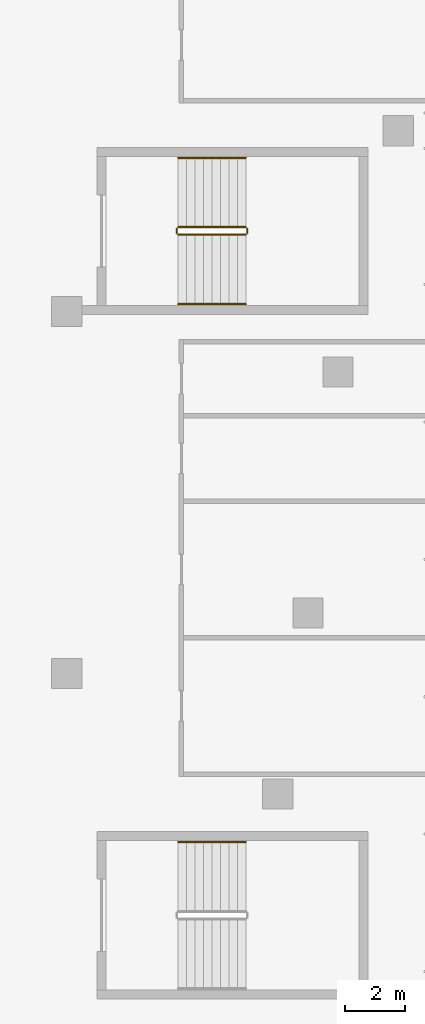
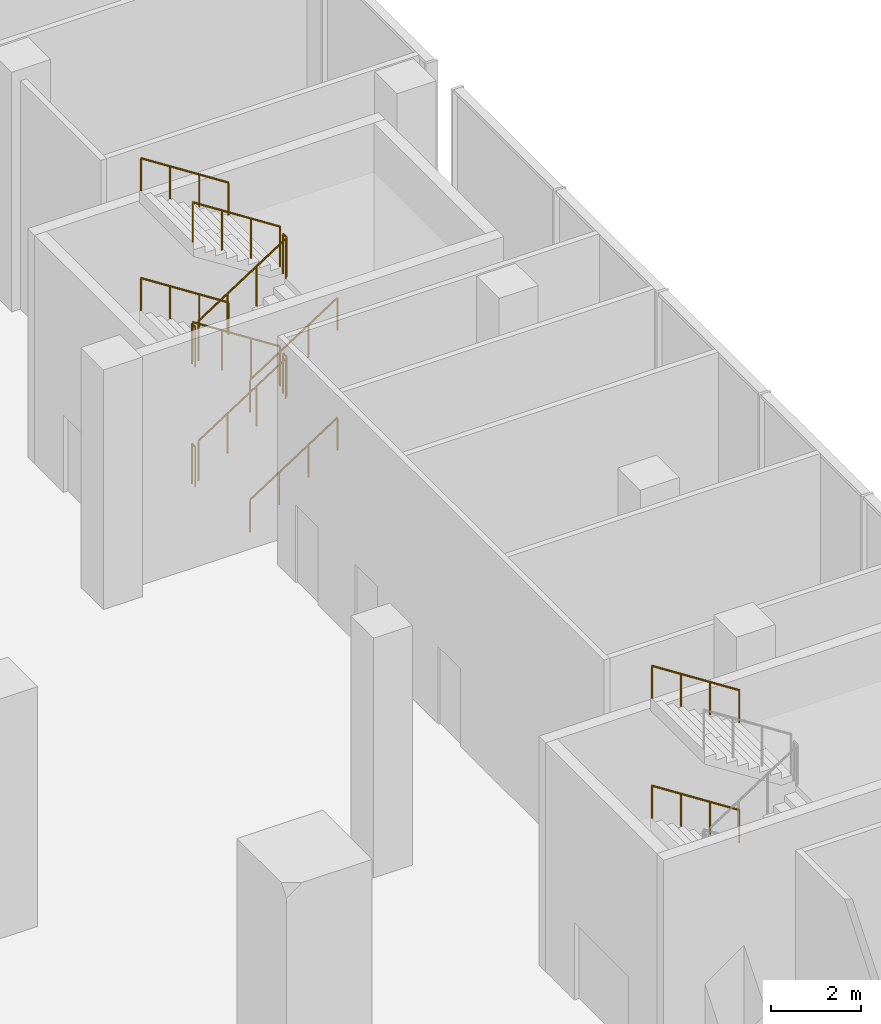
# One storey, part 28 of 30: 14 railings.
"""IFC4 building model written with IfcOpenShell, lengths in metres."""

import ifcopenshell
import ifcopenshell.guid

model = None  # the IFC model being written
_history = None  # IfcOwnerHistory: only IFC2X3 demands one
_inside = {}  # id of a spatial element -> (the spatial element, [elements in it])
_under = {}  # id of a project, library or spatial element -> (it, [spatial elements below it])
_declared = {}  # id of a project -> (the project, [libraries it declares])
_typed = {}  # id of a type object -> (the type object, [elements of that type])
_made_of = {}  # id of a material, layer set ... -> (it, [elements and type objects made of it])


def new_model(schema):
    """Start an empty IFC model of exactly this schema.

    Asked for "IFC4X3", IfcOpenShell would pick the latest addendum, in which some entities
    have other attributes; the version numbers below select the first issue.
    IFC2X3 requires an IfcOwnerHistory on every rooted entity: one is made here for all.
    """
    global model, _history
    if schema == "IFC4X3":
        model = ifcopenshell.file(schema_version=(4, 3, 0, 0))
    else:
        model = ifcopenshell.file(schema=schema)
    _inside.clear()
    _under.clear()
    _declared.clear()
    _typed.clear()
    _made_of.clear()
    _history = None
    if model.schema == "IFC2X3":
        org = make("IfcOrganization", Name="unknown")
        user = make(
            "IfcPersonAndOrganization",
            ThePerson=make("IfcPerson", FamilyName="unknown"),
            TheOrganization=org,
        )
        app = make(
            "IfcApplication",
            ApplicationDeveloper=org,
            Version="unknown",
            ApplicationFullName="unknown",
            ApplicationIdentifier="unknown",
        )
        _history = make(
            "IfcOwnerHistory",
            OwningUser=user,
            OwningApplication=app,
            ChangeAction="ADDED",
            CreationDate=0,
        )
    return model


def make(cls, **values):
    """One entity of the class cls with the attributes given. An attribute that is None is left unset."""
    return model.create_entity(
        cls, **{name: value for name, value in values.items() if value is not None}
    )


def rooted(cls, **values):
    """An entity with a GlobalId (a new one), such as an element, a storey or a relation."""
    return make(cls, GlobalId=ifcopenshell.guid.new(), OwnerHistory=_history, **values)


def si_unit(unit_type, name, prefix=None):
    """IfcSIUnit, for example si_unit("LENGTHUNIT", "METRE", prefix="MILLI")."""
    return make("IfcSIUnit", UnitType=unit_type, Prefix=prefix, Name=name)


def assignment(units):
    """IfcUnitAssignment: the units of a project."""
    return None if units is None else make("IfcUnitAssignment", Units=units)


def point(xyz):
    """IfcCartesianPoint."""
    return None if xyz is None else make("IfcCartesianPoint", Coordinates=xyz)


def direction(xyz):
    """IfcDirection."""
    return None if xyz is None else make("IfcDirection", DirectionRatios=xyz)


def frame(location, z_axis=None, x_axis=None):
    """IfcAxis2Placement3D, a coordinate frame: its origin and axes. An axis left out is left unset."""
    return make(
        "IfcAxis2Placement3D",
        Location=point(location),
        Axis=direction(z_axis),
        RefDirection=direction(x_axis),
    )


def frame_2d(location, x_axis=None):
    """IfcAxis2Placement2D, a coordinate frame in the plane: its origin and x axis."""
    return make(
        "IfcAxis2Placement2D", Location=point(location), RefDirection=direction(x_axis)
    )


def origin():
    """The frame at (0, 0, 0) with its axes left unset."""
    return frame((0.0, 0.0, 0.0))


def origin_2d():
    """The frame at (0, 0) in the plane with its x axis left unset."""
    return frame_2d((0.0, 0.0))


def place(relative_to, where):
    """IfcLocalPlacement: puts the frame where relative to a parent placement (None: the world)."""
    return make(
        "IfcLocalPlacement", PlacementRelTo=relative_to, RelativePlacement=where
    )


def context(
    kind, dimensions, precision=None, world=None, true_north=None, identifier=None
):
    """IfcGeometricRepresentationContext, for example the 3D "Model" context."""
    return make(
        "IfcGeometricRepresentationContext",
        ContextIdentifier=identifier,
        ContextType=kind,
        CoordinateSpaceDimension=dimensions,
        Precision=precision,
        WorldCoordinateSystem=world,
        TrueNorth=true_north,
    )


def subcontext(parent, identifier, kind, view, scale=None):
    """IfcGeometricRepresentationSubContext, for example "Body" below "Model"."""
    return make(
        "IfcGeometricRepresentationSubContext",
        ContextIdentifier=identifier,
        ContextType=kind,
        ParentContext=parent,
        TargetScale=scale,
        TargetView=view,
    )


def project(units=None, contexts=None):
    """IfcProject with its units and contexts."""
    return rooted(
        "IfcProject",
        Name="project",
        RepresentationContexts=contexts,
        UnitsInContext=assignment(units),
    )


def spatial(cls, under=None, at=None, **own):
    """A site, building, storey or space (cls), placed at a placement, below another one or the project."""
    s = rooted(cls, ObjectPlacement=at, **own)
    if under is not None:
        _under.setdefault(under.id(), (under, []))[1].append(s)
    return s


def profile(cls, at=None, kind="AREA", **sizes):
    """A parametric profile (cls). Its sizes go by their IFC names, for example OverallWidth=200.0."""
    return make(cls, ProfileType=kind, Position=at, **sizes)


def circle(**sizes):
    """IfcCircleProfileDef."""
    return profile("IfcCircleProfileDef", **sizes)


def extrude(swept, where, along, depth):
    """IfcExtrudedAreaSolid: the profile swept, set in the frame where, extruded along a direction by depth."""
    return make(
        "IfcExtrudedAreaSolid",
        SweptArea=swept,
        Position=where,
        ExtrudedDirection=direction(along),
        Depth=depth,
    )


def shape(context_of_items, identifier, shape_type, items):
    """IfcShapeRepresentation: the items that make up one representation, for example the "Body"."""
    return make(
        "IfcShapeRepresentation",
        ContextOfItems=context_of_items,
        RepresentationIdentifier=identifier,
        RepresentationType=shape_type,
        Items=items,
    )


def material(Name=None, Category=None):
    """IfcMaterial."""
    return make("IfcMaterial", Name=Name, Category=Category)


def made_of(thing, what):
    """Note that an element or type object is made of a material, layer set ...; save() writes the relation."""
    if what is not None:
        _made_of.setdefault(what.id(), (what, []))[1].append(thing)
    return thing


def type_object(cls, material=None, **own):
    """A type object (cls), such as IfcWallType, which elements share."""
    return made_of(rooted(cls, **own), material)


def element(
    cls,
    number,
    at=None,
    inside=None,
    cuts=None,
    type_object=None,
    material=None,
    context=None,
    identifier="Body",
    shape_type=None,
    held_by="IfcProductDefinitionShape",
    body=None,
    shapes=None,
    **own,
):
    """One element of the class cls, such as IfcWall. Its Tag is "e" and its number.

    at: its placement. inside: the storey or other place that contains it. cuts: it is an
    opening in that element (IfcRelVoidsElement). A single representation is given by context,
    identifier, shape_type and body (its items); several are given by shapes. held_by: the class
    of the entity that holds the representations. save() writes the other relations.
    """
    e = rooted(cls, Tag="e%d" % number, ObjectPlacement=at, **own)
    if body is not None:
        shapes = [shape(context, identifier, shape_type, body)]
    if shapes is not None:
        e.Representation = make(held_by, Representations=shapes)
    if inside is not None:
        _inside.setdefault(inside.id(), (inside, []))[1].append(e)
    if cuts is not None:
        rooted(
            "IfcRelVoidsElement", RelatingBuildingElement=cuts, RelatedOpeningElement=e
        )
    if type_object is not None:
        _typed.setdefault(type_object.id(), (type_object, []))[1].append(e)
    return made_of(e, material)


def aggregate(whole, parts):
    """IfcRelAggregates: a whole, such as a stair, and the parts it consists of."""
    return rooted("IfcRelAggregates", RelatingObject=whole, RelatedObjects=parts)


def save(model, path):
    """Write the relations noted so far, then the file.

    IfcRelAggregates (storeys below a building ...), IfcRelContainedInSpatialStructure (elements
    in a storey), IfcRelDefinesByType, IfcRelAssociatesMaterial and IfcRelDeclares: one each for
    every whole, place, type object, material and project.
    """
    for whole, parts in _under.values():
        aggregate(whole, parts)
    for where, things in _inside.values():
        rooted(
            "IfcRelContainedInSpatialStructure",
            RelatedElements=things,
            RelatingStructure=where,
        )
    for kind, things in _typed.values():
        rooted("IfcRelDefinesByType", RelatedObjects=things, RelatingType=kind)
    for what, things in _made_of.values():
        rooted("IfcRelAssociatesMaterial", RelatedObjects=things, RelatingMaterial=what)
    for by, libraries in _declared.values():
        rooted("IfcRelDeclares", RelatingContext=by, RelatedDefinitions=libraries)
    model.write(path)


model = new_model("IFC4")

# Units and contexts
model_context = context("Model", 3, precision=1e-05, world=origin(), true_north=direction((0.0, 1.0)))
body_context = subcontext(model_context, "Body", "Model", "MODEL_VIEW")
ifc_project = project(units=[si_unit("LENGTHUNIT", "METRE"), si_unit("AREAUNIT", "SQUARE_METRE"), si_unit("VOLUMEUNIT", "CUBIC_METRE"), si_unit("PLANEANGLEUNIT", "RADIAN"), si_unit("MASSUNIT", "GRAM", prefix="KILO")], contexts=[model_context])

# Site, building, storey
site_placement = place(None, origin())
site = spatial("IfcSite", under=ifc_project, at=site_placement, CompositionType="ELEMENT")
building_placement = place(site_placement, origin())
building = spatial("IfcBuilding", under=site, at=building_placement, Name="Wharfspan Tower", CompositionType="ELEMENT")
storey_placement = place(building_placement, frame((0.0, 0.0, 15.0)))
storey = spatial("IfcBuildingStorey", under=building, at=storey_placement, Name="L02", CompositionType="ELEMENT", Elevation=15.0)

# Railings
ifc_material = material(Name="Steel S355J2", Category="steel")
railing_type_1 = type_object("IfcRailingType", Name="Podium guard 1100", PredefinedType="GUARDRAIL", material=ifc_material)
railing_1_placement = place(storey_placement, frame((99.699951, 22.550049, 0.180664)))
element("IfcRailing", 1, at=railing_1_placement, inside=storey, type_object=railing_type_1, Name="L02 AS4 stair guard 1", PredefinedType="GUARDRAIL", context=body_context, shape_type="SweptSolid", body=[
    extrude(circle(Radius=0.023926, at=origin_2d()), frame((0.0, 0.0, 1.076172), z_axis=(0.840437, 0.0, 0.54191), x_axis=(0.0, 1.0, 0.0)), (0.0, 0.0, 1.0), 2.665283),
    extrude(circle(Radius=0.020996, at=origin_2d()), origin(), (0.0, 0.0, 1.0), 1.052002),
    extrude(circle(Radius=0.020996, at=origin_2d()), frame((0.746582, 0.0, 0.481445)), (0.0, 0.0, 1.0), 1.052002),
    extrude(circle(Radius=0.020996, at=origin_2d()), frame((1.493408, 0.0, 0.962891)), (0.0, 0.0, 1.0), 1.052002),
    extrude(circle(Radius=0.020996, at=origin_2d()), frame((2.23999, 0.0, 1.444336)), (0.0, 0.0, 1.0), 1.052002),
])
railing_2_placement = place(storey_placement, frame((101.98999, 22.600098, 1.625)))
element("IfcRailing", 2, at=railing_2_placement, inside=storey, type_object=railing_type_1, Name="L02 AS4 stair guard 2", PredefinedType="GUARDRAIL", context=body_context, shape_type="SweptSolid", body=[
    extrude(circle(Radius=0.023926, at=origin_2d()), frame((0.0, 0.0, 1.076172), z_axis=(0.0, 1.0, 0.0), x_axis=(-1.0, 0.0, 0.0)), (0.0, 0.0, 1.0), 0.149902),
    extrude(circle(Radius=0.020996, at=origin_2d()), origin(), (0.0, 0.0, 1.0), 1.052002),
    extrude(circle(Radius=0.020996, at=origin_2d()), frame((0.0, 0.149902, 0.0)), (0.0, 0.0, 1.0), 1.052002),
])
railing_3_placement = place(storey_placement, frame((101.939941, 22.800049, 1.805664)))
element("IfcRailing", 3, at=railing_3_placement, inside=storey, type_object=railing_type_1, Name="L02 AS4 stair guard 3", PredefinedType="GUARDRAIL", context=body_context, shape_type="SweptSolid", body=[
    extrude(circle(Radius=0.023926, at=origin_2d()), frame((0.0, 0.0, 1.076172), z_axis=(-0.840437, 0.0, 0.54191), x_axis=(0.0, -1.0, 0.0)), (0.0, 0.0, 1.0), 2.665283),
    extrude(circle(Radius=0.020996, at=origin_2d()), origin(), (0.0, 0.0, 1.0), 1.052002),
    extrude(circle(Radius=0.020996, at=origin_2d()), frame((-0.746582, 0.0, 0.481445)), (0.0, 0.0, 1.0), 1.052002),
    extrude(circle(Radius=0.020996, at=origin_2d()), frame((-1.493408, 0.0, 0.962891)), (0.0, 0.0, 1.0), 1.052002),
    extrude(circle(Radius=0.020996, at=origin_2d()), frame((-2.23999, 0.0, 1.444336)), (0.0, 0.0, 1.0), 1.052002),
])
railing_4_placement = place(storey_placement, frame((99.649902, 22.600098, 3.25)))
element("IfcRailing", 4, at=railing_4_placement, inside=storey, type_object=railing_type_1, Name="L02 AS4 stair guard 4", PredefinedType="GUARDRAIL", context=body_context, shape_type="SweptSolid", body=[
    extrude(circle(Radius=0.023926, at=origin_2d()), frame((0.0, 0.0, 1.076172), z_axis=(0.0, 1.0, 0.0), x_axis=(-1.0, 0.0, 0.0)), (0.0, 0.0, 1.0), 0.149902),
    extrude(circle(Radius=0.020996, at=origin_2d()), origin(), (0.0, 0.0, 1.0), 1.052002),
    extrude(circle(Radius=0.020996, at=origin_2d()), frame((0.0, 0.149902, 0.0)), (0.0, 0.0, 1.0), 1.052002),
])
railing_5_placement = place(storey_placement, frame((99.699951, 22.550049, 3.430664)))
element("IfcRailing", 5, at=railing_5_placement, inside=storey, type_object=railing_type_1, Name="L02 AS4 stair guard 5", PredefinedType="GUARDRAIL", context=body_context, shape_type="SweptSolid", body=[
    extrude(circle(Radius=0.023926, at=origin_2d()), frame((0.0, 0.0, 1.076172), z_axis=(0.840437, 0.0, 0.54191), x_axis=(0.0, 1.0, 0.0)), (0.0, 0.0, 1.0), 2.665283),
    extrude(circle(Radius=0.020996, at=origin_2d()), origin(), (0.0, 0.0, 1.0), 1.052002),
    extrude(circle(Radius=0.020996, at=origin_2d()), frame((0.746582, 0.0, 0.481445)), (0.0, 0.0, 1.0), 1.052002),
    extrude(circle(Radius=0.020996, at=origin_2d()), frame((1.493408, 0.0, 0.962891)), (0.0, 0.0, 1.0), 1.052002),
    extrude(circle(Radius=0.020996, at=origin_2d()), frame((2.23999, 0.0, 1.444336)), (0.0, 0.0, 1.0), 1.052002),
])
railing_6_placement = place(storey_placement, frame((101.98999, 22.600098, 4.875)))
element("IfcRailing", 6, at=railing_6_placement, inside=storey, type_object=railing_type_1, Name="L02 AS4 stair guard 6", PredefinedType="GUARDRAIL", context=body_context, shape_type="SweptSolid", body=[
    extrude(circle(Radius=0.023926, at=origin_2d()), frame((0.0, 0.0, 1.076172), z_axis=(0.0, 1.0, 0.0), x_axis=(-1.0, 0.0, 0.0)), (0.0, 0.0, 1.0), 0.149902),
    extrude(circle(Radius=0.020996, at=origin_2d()), origin(), (0.0, 0.0, 1.0), 1.052002),
    extrude(circle(Radius=0.020996, at=origin_2d()), frame((0.0, 0.149902, 0.0)), (0.0, 0.0, 1.0), 1.052002),
])
railing_7_placement = place(storey_placement, frame((101.939941, 22.800049, 5.055664)))
element("IfcRailing", 7, at=railing_7_placement, inside=storey, type_object=railing_type_1, Name="L02 AS4 stair guard 7", PredefinedType="GUARDRAIL", context=body_context, shape_type="SweptSolid", body=[
    extrude(circle(Radius=0.023926, at=origin_2d()), frame((0.0, 0.0, 1.076172), z_axis=(-0.840437, 0.0, 0.54191), x_axis=(0.0, -1.0, 0.0)), (0.0, 0.0, 1.0), 2.665283),
    extrude(circle(Radius=0.020996, at=origin_2d()), origin(), (0.0, 0.0, 1.0), 1.052002),
    extrude(circle(Radius=0.020996, at=origin_2d()), frame((-0.746582, 0.0, 0.481445)), (0.0, 0.0, 1.0), 1.052002),
    extrude(circle(Radius=0.020996, at=origin_2d()), frame((-1.493408, 0.0, 0.962891)), (0.0, 0.0, 1.0), 1.052002),
    extrude(circle(Radius=0.020996, at=origin_2d()), frame((-2.23999, 0.0, 1.444336)), (0.0, 0.0, 1.0), 1.052002),
])
railing_8_placement = place(storey_placement, frame((99.649902, 22.600098, 0.0)))
element("IfcRailing", 8, at=railing_8_placement, inside=storey, type_object=railing_type_1, Name="L02 AS4 stair guard 8", PredefinedType="GUARDRAIL", context=body_context, shape_type="SweptSolid", body=[
    extrude(circle(Radius=0.023926, at=origin_2d()), frame((0.0, 0.0, 1.076172), z_axis=(0.0, 1.0, 0.0), x_axis=(-1.0, 0.0, 0.0)), (0.0, 0.0, 1.0), 0.149902),
    extrude(circle(Radius=0.020996, at=origin_2d()), origin(), (0.0, 0.0, 1.0), 1.052002),
    extrude(circle(Radius=0.020996, at=origin_2d()), frame((0.0, 0.149902, 0.0)), (0.0, 0.0, 1.0), 1.052002),
])
railing_type_2 = type_object("IfcRailingType", Name="Podium stair handrail 900", PredefinedType="HANDRAIL", material=ifc_material)
for number, where, name in (
    (9, (101.939941, 2.399902, 1.805664), "L02 AS8 stair handrail 2"),
    (10, (101.939941, 2.399902, 5.055664), "L02 AS8 stair handrail 4"),
):
    element("IfcRailing", number, at=place(storey_placement, frame(where)), inside=storey, type_object=railing_type_2, Name=name, PredefinedType="HANDRAIL", context=body_context, shape_type="SweptSolid", body=[
        extrude(circle(Radius=0.023926, at=origin_2d()), frame((0.0, 0.0, 0.875977), z_axis=(-0.840437, 0.0, 0.54191), x_axis=(0.0, -1.0, 0.0)), (0.0, 0.0, 1.0), 2.665283),
        extrude(circle(Radius=0.020996, at=origin_2d()), origin(), (0.0, 0.0, 1.0), 0.851807),
        extrude(circle(Radius=0.020996, at=origin_2d()), frame((-0.746582, 0.0, 0.481445)), (0.0, 0.0, 1.0), 0.851807),
        extrude(circle(Radius=0.020996, at=origin_2d()), frame((-1.493408, 0.0, 0.962891)), (0.0, 0.0, 1.0), 0.851807),
        extrude(circle(Radius=0.020996, at=origin_2d()), frame((-2.23999, 0.0, 1.444336)), (0.0, 0.0, 1.0), 0.851807),
    ])
railing_9_placement = place(storey_placement, frame((99.699951, 20.25, 0.180664)))
element("IfcRailing", 11, at=railing_9_placement, inside=storey, type_object=railing_type_2, Name="L02 AS4 stair handrail 1", PredefinedType="HANDRAIL", context=body_context, shape_type="SweptSolid", body=[
    extrude(circle(Radius=0.023926, at=origin_2d()), frame((0.0, 0.0, 0.875977), z_axis=(0.840437, 0.0, 0.54191), x_axis=(0.0, 1.0, 0.0)), (0.0, 0.0, 1.0), 2.665283),
    extrude(circle(Radius=0.020996, at=origin_2d()), origin(), (0.0, 0.0, 1.0), 0.851807),
    extrude(circle(Radius=0.020996, at=origin_2d()), frame((0.746582, 0.0, 0.481445)), (0.0, 0.0, 1.0), 0.851807),
    extrude(circle(Radius=0.020996, at=origin_2d()), frame((1.493408, 0.0, 0.962891)), (0.0, 0.0, 1.0), 0.851807),
    extrude(circle(Radius=0.020996, at=origin_2d()), frame((2.23999, 0.0, 1.444336)), (0.0, 0.0, 1.0), 0.851807),
])
railing_10_placement = place(storey_placement, frame((101.939941, 25.100098, 1.805664)))
element("IfcRailing", 12, at=railing_10_placement, inside=storey, type_object=railing_type_2, Name="L02 AS4 stair handrail 2", PredefinedType="HANDRAIL", context=body_context, shape_type="SweptSolid", body=[
    extrude(circle(Radius=0.023926, at=origin_2d()), frame((0.0, 0.0, 0.875977), z_axis=(-0.840437, 0.0, 0.54191), x_axis=(0.0, -1.0, 0.0)), (0.0, 0.0, 1.0), 2.665283),
    extrude(circle(Radius=0.020996, at=origin_2d()), origin(), (0.0, 0.0, 1.0), 0.851807),
    extrude(circle(Radius=0.020996, at=origin_2d()), frame((-0.746582, 0.0, 0.481445)), (0.0, 0.0, 1.0), 0.851807),
    extrude(circle(Radius=0.020996, at=origin_2d()), frame((-1.493408, 0.0, 0.962891)), (0.0, 0.0, 1.0), 0.851807),
    extrude(circle(Radius=0.020996, at=origin_2d()), frame((-2.23999, 0.0, 1.444336)), (0.0, 0.0, 1.0), 0.851807),
])
railing_11_placement = place(storey_placement, frame((99.699951, 20.25, 3.430664)))
element("IfcRailing", 13, at=railing_11_placement, inside=storey, type_object=railing_type_2, Name="L02 AS4 stair handrail 3", PredefinedType="HANDRAIL", context=body_context, shape_type="SweptSolid", body=[
    extrude(circle(Radius=0.023926, at=origin_2d()), frame((0.0, 0.0, 0.875977), z_axis=(0.840437, 0.0, 0.54191), x_axis=(0.0, 1.0, 0.0)), (0.0, 0.0, 1.0), 2.665283),
    extrude(circle(Radius=0.020996, at=origin_2d()), origin(), (0.0, 0.0, 1.0), 0.851807),
    extrude(circle(Radius=0.020996, at=origin_2d()), frame((0.746582, 0.0, 0.481445)), (0.0, 0.0, 1.0), 0.851807),
    extrude(circle(Radius=0.020996, at=origin_2d()), frame((1.493408, 0.0, 0.962891)), (0.0, 0.0, 1.0), 0.851807),
    extrude(circle(Radius=0.020996, at=origin_2d()), frame((2.23999, 0.0, 1.444336)), (0.0, 0.0, 1.0), 0.851807),
])
railing_12_placement = place(storey_placement, frame((101.939941, 25.100098, 5.055664)))
element("IfcRailing", 14, at=railing_12_placement, inside=storey, type_object=railing_type_2, Name="L02 AS4 stair handrail 4", PredefinedType="HANDRAIL", context=body_context, shape_type="SweptSolid", body=[
    extrude(circle(Radius=0.023926, at=origin_2d()), frame((0.0, 0.0, 0.875977), z_axis=(-0.840437, 0.0, 0.54191), x_axis=(0.0, -1.0, 0.0)), (0.0, 0.0, 1.0), 2.665283),
    extrude(circle(Radius=0.020996, at=origin_2d()), origin(), (0.0, 0.0, 1.0), 0.851807),
    extrude(circle(Radius=0.020996, at=origin_2d()), frame((-0.746582, 0.0, 0.481445)), (0.0, 0.0, 1.0), 0.851807),
    extrude(circle(Radius=0.020996, at=origin_2d()), frame((-1.493408, 0.0, 0.962891)), (0.0, 0.0, 1.0), 0.851807),
    extrude(circle(Radius=0.020996, at=origin_2d()), frame((-2.23999, 0.0, 1.444336)), (0.0, 0.0, 1.0), 0.851807),
])

save(model, "model.ifc")
